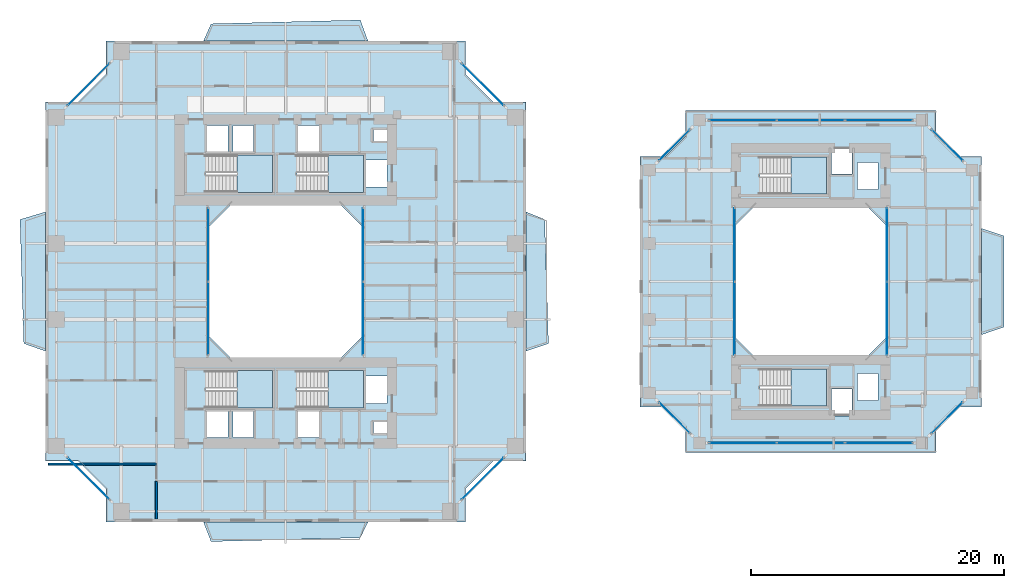
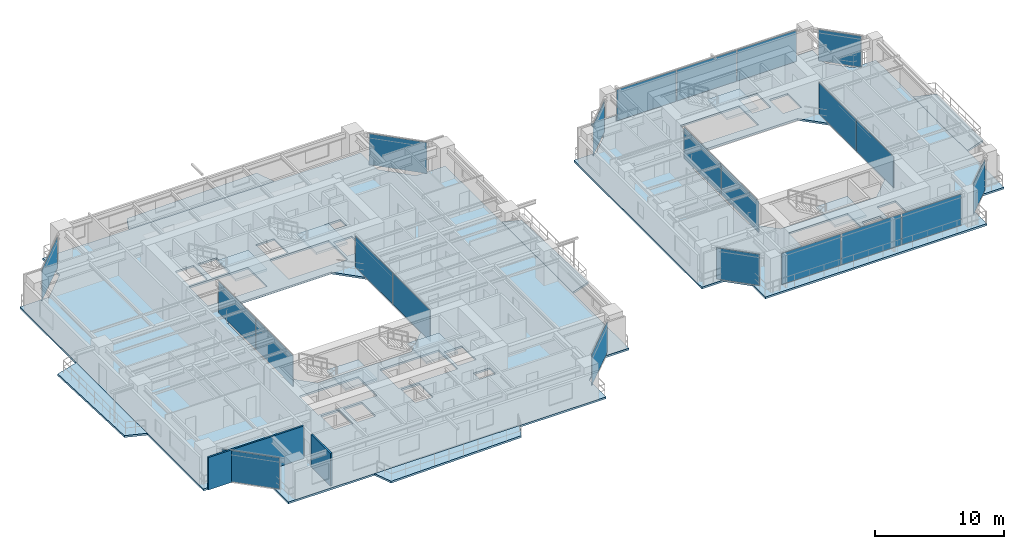
# One storey, part 11 of 23: 22 plates, 13 slabs, 2 walls, 20 elements without a shape of their own.
"""IFC4 building model written with IfcOpenShell, lengths in metres."""

from ifc_helpers import new_model, si_unit, direction, frame, frame_2d, origin, origin_2d, place, context, subcontext, project, spatial, polyline, rectangle, outline, extrude, source, transform, mapped, material, layer, layer_set, type_object, element, aggregate, save


model = new_model("IFC4")

# Units and contexts
model_context = context("Model", 3, precision=1e-05, world=origin(), true_north=direction((0.0, 1.0)))
body_context = subcontext(model_context, "Body", "Model", "MODEL_VIEW")
ifc_project = project(units=[si_unit("LENGTHUNIT", "METRE"), si_unit("AREAUNIT", "SQUARE_METRE"), si_unit("VOLUMEUNIT", "CUBIC_METRE"), si_unit("PLANEANGLEUNIT", "RADIAN"), si_unit("MASSUNIT", "GRAM", prefix="KILO"), si_unit("THERMODYNAMICTEMPERATUREUNIT", "KELVIN"), si_unit("POWERUNIT", "WATT")], contexts=[model_context])

# Site, building, storey
site_placement = place(None, origin())
site = spatial("IfcSite", under=ifc_project, at=site_placement, CompositionType="ELEMENT")
building_placement = place(site_placement, origin())
building = spatial("IfcBuilding", under=site, at=building_placement, Name="Qiaomeng Ring Towers", CompositionType="ELEMENT")
storey_placement = place(building_placement, frame((0.0, 0.0, 26.25)))
storey = spatial("IfcBuildingStorey", under=building, at=storey_placement, Name="L06", CompositionType="ELEMENT", Elevation=26.25)

# Slabs
ifc_material_1 = material(Name="Concrete C40", Category="concrete")
ifc_layer_1 = layer(ifc_material_1, 0.179931640625, Name="Concrete C40")
ifc_layer_set_1 = layer_set([ifc_layer_1], Name="Concrete C40")
slab_type_1 = type_object("IfcSlabType", Name="STR-SL-180", PredefinedType="FLOOR", material=ifc_layer_set_1)
slab_1_placement = place(storey_placement, frame((0.0, 0.0, -0.179931640625)))
element("IfcSlab", 1, at=slab_1_placement, inside=storey, type_object=slab_type_1, Name="L06 Tower 1 Annular Floor Slab", PredefinedType="FLOOR", context=body_context, shape_type="SweptSolid", body=[
    extrude(outline(polyline([(4.800048828125, 4.0), (33.199951171875, 4.0), (33.199951171875, 6.60009765625), (35.39990234375, 8.800048828125), (38.0, 8.800048828125), (38.0, 37.199951171875), (35.39990234375, 37.199951171875), (33.199951171875, 39.39990234375), (33.199951171875, 42.0), (4.800048828125, 42.0), (4.800048828125, 39.39990234375), (2.60009765625, 37.199951171875), (0.0, 37.199951171875), (0.0, 8.800048828125), (2.60009765625, 8.800048828125), (4.800048828125, 6.60009765625), (4.800048828125, 4.0)]), holes=[polyline([(12.780029296875, 10.679931640625), (12.780029296875, 12.820068359375), (14.419921875, 12.820068359375), (14.419921875, 10.679931640625), (12.780029296875, 10.679931640625)]), polyline([(14.830078125, 12.820068359375), (16.469970703125, 12.820068359375), (16.469970703125, 10.679931640625), (14.830078125, 10.679931640625), (14.830078125, 12.820068359375)]), polyline([(12.679931640625, 15.949951171875), (17.949951171875, 15.949951171875), (17.949951171875, 13.010009765625), (12.679931640625, 13.010009765625), (12.679931640625, 15.949951171875)]), polyline([(25.199951171875, 27.199951171875), (25.199951171875, 18.800048828125), (23.199951171875, 16.800048828125), (14.800048828125, 16.800048828125), (12.800048828125, 18.800048828125), (12.800048828125, 27.199951171875), (14.800048828125, 29.199951171875), (23.199951171875, 29.199951171875), (25.199951171875, 27.199951171875)]), polyline([(12.679931640625, 32.989990234375), (17.949951171875, 32.989990234375), (17.949951171875, 30.050048828125), (12.679931640625, 30.050048828125), (12.679931640625, 32.989990234375)]), polyline([(12.780029296875, 35.320068359375), (14.419921875, 35.320068359375), (14.419921875, 33.179931640625), (12.780029296875, 33.179931640625), (12.780029296875, 35.320068359375)]), polyline([(14.830078125, 35.320068359375), (16.469970703125, 35.320068359375), (16.469970703125, 33.179931640625), (14.830078125, 33.179931640625), (14.830078125, 35.320068359375)]), polyline([(19.97998046875, 35.320068359375), (21.6201171875, 35.320068359375), (21.6201171875, 33.179931640625), (19.97998046875, 33.179931640625), (19.97998046875, 35.320068359375)]), polyline([(25.919921875, 11.89990234375), (27.360107421875, 11.89990234375), (27.360107421875, 11.0), (25.919921875, 11.0), (25.919921875, 11.89990234375)]), polyline([(19.97998046875, 12.820068359375), (21.6201171875, 12.820068359375), (21.6201171875, 10.679931640625), (19.97998046875, 10.679931640625), (19.97998046875, 12.820068359375)]), polyline([(25.360107421875, 15.52001953125), (27.0, 15.52001953125), (27.0, 13.3798828125), (25.360107421875, 13.3798828125), (25.360107421875, 15.52001953125)]), polyline([(19.8798828125, 15.949951171875), (25.14990234375, 15.949951171875), (25.14990234375, 13.010009765625), (19.8798828125, 13.010009765625), (19.8798828125, 15.949951171875)]), polyline([(19.8798828125, 32.989990234375), (25.14990234375, 32.989990234375), (25.14990234375, 30.050048828125), (19.8798828125, 30.050048828125), (19.8798828125, 32.989990234375)]), polyline([(25.360107421875, 32.6201171875), (27.0, 32.6201171875), (27.0, 30.47998046875), (25.360107421875, 30.47998046875), (25.360107421875, 32.6201171875)]), polyline([(25.919921875, 35.0), (27.360107421875, 35.0), (27.360107421875, 34.10009765625), (25.919921875, 34.10009765625), (25.919921875, 35.0)])]), origin(), (0.0, 0.0, 1.0), 0.179931640625),
])
slab_2_placement = place(storey_placement, frame((0.0, 0.0, -0.179931640625)))
element("IfcSlab", 2, at=slab_2_placement, inside=storey, type_object=slab_type_1, Name="L06 Companion Tower 2 Annular Floor Slab", PredefinedType="FLOOR", context=body_context, shape_type="SweptSolid", body=[
    extrude(outline(polyline([(50.60009765625, 9.5), (70.39990234375, 9.5), (70.39990234375, 11.5), (72.0, 13.10009765625), (74.0, 13.10009765625), (74.0, 32.89990234375), (72.0, 32.89990234375), (70.39990234375, 34.5), (70.39990234375, 36.5), (50.60009765625, 36.5), (50.60009765625, 34.5), (49.0, 32.89990234375), (47.0, 32.89990234375), (47.0, 13.10009765625), (49.0, 13.10009765625), (50.60009765625, 11.5), (50.60009765625, 9.5)]), holes=[polyline([(62.1298828125, 12.3798828125), (62.1298828125, 14.52001953125), (63.77001953125, 14.52001953125), (63.77001953125, 12.3798828125), (62.1298828125, 12.3798828125)]), polyline([(56.47998046875, 13.159912109375), (56.47998046875, 16.10009765625), (61.75, 16.10009765625), (61.75, 13.159912109375), (56.47998046875, 13.159912109375)]), polyline([(64.179931640625, 13.580078125), (64.179931640625, 15.719970703125), (65.820068359375, 15.719970703125), (65.820068359375, 13.580078125), (64.179931640625, 13.580078125)]), polyline([(64.800048828125, 29.10009765625), (66.60009765625, 27.300048828125), (66.60009765625, 18.699951171875), (64.800048828125, 16.89990234375), (56.199951171875, 16.89990234375), (54.39990234375, 18.699951171875), (54.39990234375, 27.300048828125), (56.199951171875, 29.10009765625), (64.800048828125, 29.10009765625)]), polyline([(64.179931640625, 30.280029296875), (64.179931640625, 32.419921875), (65.820068359375, 32.419921875), (65.820068359375, 30.280029296875), (64.179931640625, 30.280029296875)]), polyline([(56.47998046875, 32.840087890625), (61.75, 32.840087890625), (61.75, 29.89990234375), (56.47998046875, 29.89990234375), (56.47998046875, 32.840087890625)]), polyline([(62.1298828125, 33.6201171875), (63.77001953125, 33.6201171875), (63.77001953125, 31.47998046875), (62.1298828125, 31.47998046875), (62.1298828125, 33.6201171875)])]), origin(), (0.0, 0.0, 1.0), 0.179931640625),
])
ifc_layer_2 = layer(ifc_material_1, 0.179931640625, Name="Concrete C40")
ifc_layer_set_2 = layer_set([ifc_layer_2], Name="Concrete C40")
slab_type_2 = type_object("IfcSlabType", Name="STR-SL-BAL", PredefinedType="FLOOR", material=ifc_layer_set_2)
slab_3_placement = place(storey_placement, frame((0.0, 0.0, -0.179931640625)))
element("IfcSlab", 3, at=slab_3_placement, inside=storey, type_object=slab_type_2, Name="L06 Tower 1 S Faceted Balcony Slab", PredefinedType="FLOOR", context=body_context, shape_type="SweptSolid", body=[
    extrude(outline(polyline([(24.89990234375, 2.75), (13.10009765625, 2.449951171875), (12.5, 4.0), (25.5, 4.0), (24.89990234375, 2.75)])), origin(), (0.0, 0.0, 1.0), 0.179931640625),
])
slab_4_placement = place(storey_placement, frame((0.0, 0.0, -0.179931640625)))
element("IfcSlab", 4, at=slab_4_placement, inside=storey, type_object=slab_type_2, Name="L06 Tower 1 E Faceted Balcony Slab", PredefinedType="FLOOR", context=body_context, shape_type="SweptSolid", body=[
    extrude(outline(polyline([(39.469970703125, 27.89990234375), (39.77001953125, 18.10009765625), (38.0, 17.5), (38.0, 28.5), (39.469970703125, 27.89990234375)])), origin(), (0.0, 0.0, 1.0), 0.179931640625),
])
slab_5_placement = place(storey_placement, frame((0.0, 0.0, -0.179931640625)))
element("IfcSlab", 5, at=slab_5_placement, inside=storey, type_object=slab_type_2, Name="L06 Tower 1 N Faceted Balcony Slab", PredefinedType="FLOOR", context=body_context, shape_type="SweptSolid", body=[
    extrude(outline(polyline([(12.5, 42.0), (13.10009765625, 43.3701171875), (24.89990234375, 43.669921875), (25.5, 42.0), (12.5, 42.0)])), origin(), (0.0, 0.0, 1.0), 0.179931640625),
])
slab_6_placement = place(storey_placement, frame((0.0, 0.0, -0.179931640625)))
element("IfcSlab", 6, at=slab_6_placement, inside=storey, type_object=slab_type_2, Name="L06 Tower 1 W Faceted Balcony Slab", PredefinedType="FLOOR", context=body_context, shape_type="SweptSolid", body=[
    extrude(outline(polyline([(0.0, 17.5), (-1.699951171875, 18.10009765625), (-2.0, 27.89990234375), (0.0, 28.5), (0.0, 17.5)])), origin(), (0.0, 0.0, 1.0), 0.179931640625),
])
slab_7_placement = place(storey_placement, frame((0.0, 0.0, -0.179931640625)))
element("IfcSlab", 7, at=slab_7_placement, inside=storey, type_object=slab_type_2, Name="L06 Companion East Faceted Balcony Slab", PredefinedType="FLOOR", context=body_context, shape_type="SweptSolid", body=[
    extrude(outline(polyline([(75.77001953125, 26.60009765625), (75.77001953125, 19.39990234375), (74.0, 18.800048828125), (74.0, 27.199951171875), (75.77001953125, 26.60009765625)])), origin(), (0.0, 0.0, 1.0), 0.179931640625),
])

# Stair, slab
ifc_material_2 = material(Name="Precast concrete C40", Category="concrete")
stair_type = type_object("IfcStairType", Name="ARC-ST-325", PredefinedType="HALF_TURN_STAIR", material=ifc_material_2)
stair_1_placement = place(storey_placement, origin())
stair_1 = element("IfcStair", 8, at=stair_1_placement, inside=storey, type_object=stair_type, Name="L06 Tower 1 North Stair 1", PredefinedType="HALF_TURN_STAIR")
ifc_layer_3 = layer(ifc_material_1, 0.199951171875, Name="Concrete C40")
ifc_layer_set_3 = layer_set([ifc_layer_3], Name="Concrete C40")
slab_type_3 = type_object("IfcSlabType", Name="STR-SL-LANDING", PredefinedType="LANDING", material=ifc_layer_set_3)
slab_8_placement = place(storey_placement, frame((0.0, 0.0, 1.425048828125)))
slab_8 = element("IfcSlab", 9, at=slab_8_placement, type_object=slab_type_3, Name="ST1 landing 1", PredefinedType="LANDING", context=body_context, shape_type="SweptSolid", body=[
    extrude(outline(polyline([(15.139892578125, 30.050048828125), (17.949951171875, 30.050048828125), (17.949951171875, 32.989990234375), (15.139892578125, 32.989990234375), (15.139892578125, 30.050048828125)])), origin(), (0.0, 0.0, 1.0), 0.199951171875),
])
aggregate(stair_1, [slab_8])

stair_2_placement = place(storey_placement, origin())
stair_2 = element("IfcStair", 10, at=stair_2_placement, inside=storey, type_object=stair_type, Name="L06 Tower 1 North Stair 2", PredefinedType="HALF_TURN_STAIR")
slab_9_placement = place(storey_placement, frame((0.0, 0.0, 1.425048828125)))
slab_9 = element("IfcSlab", 11, at=slab_9_placement, type_object=slab_type_3, Name="ST2 landing 1", PredefinedType="LANDING", context=body_context, shape_type="SweptSolid", body=[
    extrude(outline(polyline([(22.340087890625, 30.050048828125), (25.14990234375, 30.050048828125), (25.14990234375, 32.989990234375), (22.340087890625, 32.989990234375), (22.340087890625, 30.050048828125)])), origin(), (0.0, 0.0, 1.0), 0.199951171875),
])
aggregate(stair_2, [slab_9])

stair_3_placement = place(storey_placement, origin())
stair_3 = element("IfcStair", 12, at=stair_3_placement, inside=storey, type_object=stair_type, Name="L06 Tower 1 South Stair 3", PredefinedType="HALF_TURN_STAIR")
slab_10_placement = place(storey_placement, frame((0.0, 0.0, 1.425048828125)))
slab_10 = element("IfcSlab", 13, at=slab_10_placement, type_object=slab_type_3, Name="ST3 landing 1", PredefinedType="LANDING", context=body_context, shape_type="SweptSolid", body=[
    extrude(outline(polyline([(15.139892578125, 13.010009765625), (17.949951171875, 13.010009765625), (17.949951171875, 15.949951171875), (15.139892578125, 15.949951171875), (15.139892578125, 13.010009765625)])), origin(), (0.0, 0.0, 1.0), 0.199951171875),
])
aggregate(stair_3, [slab_10])

stair_4_placement = place(storey_placement, origin())
stair_4 = element("IfcStair", 14, at=stair_4_placement, inside=storey, type_object=stair_type, Name="L06 Tower 1 South Stair 4", PredefinedType="HALF_TURN_STAIR")
slab_11_placement = place(storey_placement, frame((0.0, 0.0, 1.425048828125)))
slab_11 = element("IfcSlab", 15, at=slab_11_placement, type_object=slab_type_3, Name="ST4 landing 1", PredefinedType="LANDING", context=body_context, shape_type="SweptSolid", body=[
    extrude(outline(polyline([(22.340087890625, 13.010009765625), (25.14990234375, 13.010009765625), (25.14990234375, 15.949951171875), (22.340087890625, 15.949951171875), (22.340087890625, 13.010009765625)])), origin(), (0.0, 0.0, 1.0), 0.199951171875),
])
aggregate(stair_4, [slab_11])

stair_5_placement = place(storey_placement, origin())
stair_5 = element("IfcStair", 16, at=stair_5_placement, inside=storey, type_object=stair_type, Name="L06 Companion North Stair 5", PredefinedType="HALF_TURN_STAIR")
slab_12_placement = place(storey_placement, frame((0.0, 0.0, 1.425048828125)))
slab_12 = element("IfcSlab", 17, at=slab_12_placement, type_object=slab_type_3, Name="ST5 landing 1", PredefinedType="LANDING", context=body_context, shape_type="SweptSolid", body=[
    extrude(outline(polyline([(58.93994140625, 29.89990234375), (61.75, 29.89990234375), (61.75, 32.840087890625), (58.93994140625, 32.840087890625), (58.93994140625, 29.89990234375)])), origin(), (0.0, 0.0, 1.0), 0.199951171875),
])
aggregate(stair_5, [slab_12])

stair_6_placement = place(storey_placement, origin())
stair_6 = element("IfcStair", 18, at=stair_6_placement, inside=storey, type_object=stair_type, Name="L06 Companion South Stair 6", PredefinedType="HALF_TURN_STAIR")
slab_13_placement = place(storey_placement, frame((0.0, 0.0, 1.425048828125)))
slab_13 = element("IfcSlab", 19, at=slab_13_placement, type_object=slab_type_3, Name="ST6 landing 1", PredefinedType="LANDING", context=body_context, shape_type="SweptSolid", body=[
    extrude(outline(polyline([(58.93994140625, 13.159912109375), (61.75, 13.159912109375), (61.75, 16.10009765625), (58.93994140625, 16.10009765625), (58.93994140625, 13.159912109375)])), origin(), (0.0, 0.0, 1.0), 0.199951171875),
])
aggregate(stair_6, [slab_13])

# Curtain wall, plates
ifc_material_3 = material(Name="Fluorocarbon dark-grey aluminium", Category="aluminium")
ifc_layer_4 = layer(ifc_material_3, 0.139892578125, Name="Fluorocarbon dark-grey aluminium")
ifc_layer_set_4 = layer_set([ifc_layer_4], Name="Fluorocarbon dark-grey aluminium")
curtain_wall_type_1 = type_object("IfcCurtainWallType", Name="ARC-CW-4", PredefinedType="NOTDEFINED", material=ifc_layer_set_4)
curtain_wall_1_placement = place(storey_placement, origin())
curtain_wall_1 = element("IfcCurtainWall", 20, at=curtain_wall_1_placement, inside=storey, type_object=curtain_wall_type_1, Name="L06 Curtain Wall CW4", PredefinedType="NOTDEFINED")
ifc_material_4 = material(Name="Low-E dark-grey laminated double glazing", Category="glass")
ifc_layer_5 = layer(ifc_material_4, 0.028076171875, Name="Low-E dark-grey laminated double glazing")
ifc_layer_set_5 = layer_set([ifc_layer_5], Name="Low-E dark-grey laminated double glazing")
plate_type = type_object("IfcPlateType", Name="ARC-CWP-DARK", PredefinedType="CURTAIN_PANEL", material=ifc_layer_set_5)
shared_shape_1 = source(origin(), body_context, "Body", "SweptSolid", [
    extrude(rectangle(XDim=5.75244140625, YDim=0.028076171875, at=origin_2d()), origin(), (0.0, 0.0, 1.0), 2.93994140625),
])
plate_1_placement = place(storey_placement, frame((12.8798828125, 20.09130859375, 0.06494140625), z_axis=(0.0, 0.0, 1.0), x_axis=(0.0, 1.0, 0.0)))
plate_1 = element("IfcPlate", 21, at=plate_1_placement, type_object=plate_type, Name="CW4 panel 1.1", PredefinedType="CURTAIN_PANEL", context=body_context, shape_type="MappedRepresentation", body=[
    mapped(shared_shape_1, transform((0.0, 0.0, 0.0), x_axis=(1.0, 0.0, 0.0), y_axis=(0.0, 1.0, 0.0), z_axis=(0.0, 0.0, 1.0), scale=1.0)),
])
plate_2_placement = place(storey_placement, frame((12.8798828125, 25.90869140625, 0.06494140625), z_axis=(0.0, 0.0, 1.0), x_axis=(0.0, 1.0, 0.0)))
plate_2 = element("IfcPlate", 22, at=plate_2_placement, type_object=plate_type, Name="CW4 panel 2.1", PredefinedType="CURTAIN_PANEL", context=body_context, shape_type="MappedRepresentation", body=[
    mapped(shared_shape_1, transform((0.0, 0.0, 0.0), x_axis=(1.0, 0.0, 0.0), y_axis=(0.0, 1.0, 0.0), z_axis=(0.0, 0.0, 1.0), scale=1.0)),
])
aggregate(curtain_wall_1, [plate_1, plate_2])

curtain_wall_2_placement = place(storey_placement, origin())
curtain_wall_2 = element("IfcCurtainWall", 23, at=curtain_wall_2_placement, inside=storey, type_object=curtain_wall_type_1, Name="L06 Curtain Wall CW4", PredefinedType="NOTDEFINED")
plate_3_placement = place(storey_placement, frame((25.1201171875, 20.09130859375, 0.06494140625), z_axis=(0.0, 0.0, 1.0), x_axis=(0.0, 1.0, 0.0)))
plate_3 = element("IfcPlate", 24, at=plate_3_placement, type_object=plate_type, Name="CW4 panel 1.1", PredefinedType="CURTAIN_PANEL", context=body_context, shape_type="MappedRepresentation", body=[
    mapped(shared_shape_1, transform((0.0, 0.0, 0.0), x_axis=(1.0, 0.0, 0.0), y_axis=(0.0, 1.0, 0.0), z_axis=(0.0, 0.0, 1.0), scale=1.0)),
])
plate_4_placement = place(storey_placement, frame((25.1201171875, 25.90869140625, 0.06494140625), z_axis=(0.0, 0.0, 1.0), x_axis=(0.0, 1.0, 0.0)))
plate_4 = element("IfcPlate", 25, at=plate_4_placement, type_object=plate_type, Name="CW4 panel 2.1", PredefinedType="CURTAIN_PANEL", context=body_context, shape_type="MappedRepresentation", body=[
    mapped(shared_shape_1, transform((0.0, 0.0, 0.0), x_axis=(1.0, 0.0, 0.0), y_axis=(0.0, 1.0, 0.0), z_axis=(0.0, 0.0, 1.0), scale=1.0)),
])
aggregate(curtain_wall_2, [plate_3, plate_4])

curtain_wall_3_placement = place(storey_placement, origin())
curtain_wall_3 = element("IfcCurtainWall", 26, at=curtain_wall_3_placement, inside=storey, type_object=curtain_wall_type_1, Name="L06 Curtain Wall CW4", PredefinedType="NOTDEFINED")
plate_5_placement = place(storey_placement, frame((54.47998046875, 20.09130859375, 0.06494140625), z_axis=(0.0, 0.0, 1.0), x_axis=(0.0, 1.0, 0.0)))
plate_5 = element("IfcPlate", 27, at=plate_5_placement, type_object=plate_type, Name="CW4 panel 1.1", PredefinedType="CURTAIN_PANEL", context=body_context, shape_type="MappedRepresentation", body=[
    mapped(shared_shape_1, transform((0.0, 0.0, 0.0), x_axis=(1.0, 0.0, 0.0), y_axis=(0.0, 1.0, 0.0), z_axis=(0.0, 0.0, 1.0), scale=1.0)),
])
plate_6_placement = place(storey_placement, frame((54.47998046875, 25.90869140625, 0.06494140625), z_axis=(0.0, 0.0, 1.0), x_axis=(0.0, 1.0, 0.0)))
plate_6 = element("IfcPlate", 28, at=plate_6_placement, type_object=plate_type, Name="CW4 panel 2.1", PredefinedType="CURTAIN_PANEL", context=body_context, shape_type="MappedRepresentation", body=[
    mapped(shared_shape_1, transform((0.0, 0.0, 0.0), x_axis=(1.0, 0.0, 0.0), y_axis=(0.0, 1.0, 0.0), z_axis=(0.0, 0.0, 1.0), scale=1.0)),
])
aggregate(curtain_wall_3, [plate_5, plate_6])

curtain_wall_4_placement = place(storey_placement, origin())
curtain_wall_4 = element("IfcCurtainWall", 29, at=curtain_wall_4_placement, inside=storey, type_object=curtain_wall_type_1, Name="L06 Curtain Wall CW4", PredefinedType="NOTDEFINED")
plate_7_placement = place(storey_placement, frame((66.52001953125, 20.09130859375, 0.06494140625), z_axis=(0.0, 0.0, 1.0), x_axis=(0.0, 1.0, 0.0)))
plate_7 = element("IfcPlate", 30, at=plate_7_placement, type_object=plate_type, Name="CW4 panel 1.1", PredefinedType="CURTAIN_PANEL", context=body_context, shape_type="MappedRepresentation", body=[
    mapped(shared_shape_1, transform((0.0, 0.0, 0.0), x_axis=(1.0, 0.0, 0.0), y_axis=(0.0, 1.0, 0.0), z_axis=(0.0, 0.0, 1.0), scale=1.0)),
])
plate_8_placement = place(storey_placement, frame((66.52001953125, 25.90869140625, 0.06494140625), z_axis=(0.0, 0.0, 1.0), x_axis=(0.0, 1.0, 0.0)))
plate_8 = element("IfcPlate", 31, at=plate_8_placement, type_object=plate_type, Name="CW4 panel 2.1", PredefinedType="CURTAIN_PANEL", context=body_context, shape_type="MappedRepresentation", body=[
    mapped(shared_shape_1, transform((0.0, 0.0, 0.0), x_axis=(1.0, 0.0, 0.0), y_axis=(0.0, 1.0, 0.0), z_axis=(0.0, 0.0, 1.0), scale=1.0)),
])
aggregate(curtain_wall_4, [plate_7, plate_8])

# Curtain wall, plate
ifc_layer_6 = layer(ifc_material_3, 0.159912109375, Name="Fluorocarbon dark-grey aluminium")
ifc_layer_set_6 = layer_set([ifc_layer_6], Name="Fluorocarbon dark-grey aluminium")
curtain_wall_type_2 = type_object("IfcCurtainWallType", Name="ARC-CW-2", PredefinedType="NOTDEFINED", material=ifc_layer_set_6)
curtain_wall_5_placement = place(storey_placement, origin())
curtain_wall_5 = element("IfcCurtainWall", 32, at=curtain_wall_5_placement, inside=storey, type_object=curtain_wall_type_2, Name="L06 Curtain Wall CW2", PredefinedType="NOTDEFINED")
shared_shape_2 = source(origin(), body_context, "Body", "SweptSolid", [
    extrude(rectangle(XDim=4.6259765625, YDim=0.028076171875, at=origin_2d()), origin(), (0.0, 0.0, 1.0), 2.93994140625),
])
plate_9_placement = place(storey_placement, frame((34.574951171875, 7.425048828125, 0.06494140625), z_axis=(0.0, 0.0, 1.0), x_axis=(0.707106781187, 0.707106781187, 0.0)))
plate_9 = element("IfcPlate", 33, at=plate_9_placement, type_object=plate_type, Name="CW2 panel 1.1", PredefinedType="CURTAIN_PANEL", context=body_context, shape_type="MappedRepresentation", body=[
    mapped(shared_shape_2, transform((0.0, 0.0, 0.0), x_axis=(1.0, 0.0, 0.0), y_axis=(0.0, 1.0, 0.0), z_axis=(0.0, 0.0, 1.0), scale=1.0)),
])
aggregate(curtain_wall_5, [plate_9])

curtain_wall_6_placement = place(storey_placement, origin())
curtain_wall_6 = element("IfcCurtainWall", 34, at=curtain_wall_6_placement, inside=storey, type_object=curtain_wall_type_2, Name="L06 Curtain Wall CW2", PredefinedType="NOTDEFINED")
plate_10_placement = place(storey_placement, frame((34.574951171875, 38.574951171875, 0.06494140625), z_axis=(0.0, 0.0, 1.0), x_axis=(-0.707106781187, 0.707106781187, 0.0)))
plate_10 = element("IfcPlate", 35, at=plate_10_placement, type_object=plate_type, Name="CW2 panel 1.1", PredefinedType="CURTAIN_PANEL", context=body_context, shape_type="MappedRepresentation", body=[
    mapped(shared_shape_2, transform((0.0, 0.0, 0.0), x_axis=(1.0, 0.0, 0.0), y_axis=(0.0, 1.0, 0.0), z_axis=(0.0, 0.0, 1.0), scale=1.0)),
])
aggregate(curtain_wall_6, [plate_10])

curtain_wall_7_placement = place(storey_placement, origin())
curtain_wall_7 = element("IfcCurtainWall", 36, at=curtain_wall_7_placement, inside=storey, type_object=curtain_wall_type_2, Name="L06 Curtain Wall CW2", PredefinedType="NOTDEFINED")
plate_11_placement = place(storey_placement, frame((3.425048828125, 38.574951171875, 0.06494140625), z_axis=(0.0, 0.0, 1.0), x_axis=(-0.707106781187, -0.707106781187, 0.0)))
plate_11 = element("IfcPlate", 37, at=plate_11_placement, type_object=plate_type, Name="CW2 panel 1.1", PredefinedType="CURTAIN_PANEL", context=body_context, shape_type="MappedRepresentation", body=[
    mapped(shared_shape_2, transform((0.0, 0.0, 0.0), x_axis=(1.0, 0.0, 0.0), y_axis=(0.0, 1.0, 0.0), z_axis=(0.0, 0.0, 1.0), scale=1.0)),
])
aggregate(curtain_wall_7, [plate_11])

curtain_wall_8_placement = place(storey_placement, origin())
curtain_wall_8 = element("IfcCurtainWall", 38, at=curtain_wall_8_placement, inside=storey, type_object=curtain_wall_type_2, Name="L06 Curtain Wall CW2", PredefinedType="NOTDEFINED")
plate_12_placement = place(storey_placement, frame((3.425048828125, 7.425048828125, 0.06494140625), z_axis=(0.0, 0.0, 1.0), x_axis=(0.707106781187, -0.707106781187, 0.0)))
plate_12 = element("IfcPlate", 39, at=plate_12_placement, type_object=plate_type, Name="CW2 panel 1.1", PredefinedType="CURTAIN_PANEL", context=body_context, shape_type="MappedRepresentation", body=[
    mapped(shared_shape_2, transform((0.0, 0.0, 0.0), x_axis=(1.0, 0.0, 0.0), y_axis=(0.0, 1.0, 0.0), z_axis=(0.0, 0.0, 1.0), scale=1.0)),
])
aggregate(curtain_wall_8, [plate_12])

# Curtain wall, plates
ifc_layer_7 = layer(ifc_material_3, 0.14990234375, Name="Fluorocarbon dark-grey aluminium")
ifc_layer_set_7 = layer_set([ifc_layer_7], Name="Fluorocarbon dark-grey aluminium")
curtain_wall_type_3 = type_object("IfcCurtainWallType", Name="ARC-CW-5", PredefinedType="NOTDEFINED", material=ifc_layer_set_7)
curtain_wall_9_placement = place(storey_placement, origin())
curtain_wall_9 = element("IfcCurtainWall", 40, at=curtain_wall_9_placement, inside=storey, type_object=curtain_wall_type_3, Name="L06 Curtain Wall CW5", PredefinedType="NOTDEFINED")
shared_shape_3 = source(origin(), body_context, "Body", "SweptSolid", [
    extrude(rectangle(XDim=5.284912109375, YDim=0.028076171875, at=origin_2d()), origin(), (0.0, 0.0, 1.0), 2.93994140625),
])
plate_13_placement = place(storey_placement, frame((55.12744140625, 35.75, 0.06494140625), z_axis=(0.0, 0.0, 1.0), x_axis=(1.0, 0.0, 0.0)))
plate_13 = element("IfcPlate", 41, at=plate_13_placement, type_object=plate_type, Name="CW5 panel 1.1", PredefinedType="CURTAIN_PANEL", context=body_context, shape_type="MappedRepresentation", body=[
    mapped(shared_shape_3, transform((0.0, 0.0, 0.0), x_axis=(1.0, 0.0, 0.0), y_axis=(0.0, 1.0, 0.0), z_axis=(0.0, 0.0, 1.0), scale=1.0)),
])
plate_14_placement = place(storey_placement, frame((65.87255859375, 35.75, 0.06494140625), z_axis=(0.0, 0.0, 1.0), x_axis=(1.0, 0.0, 0.0)))
plate_14 = element("IfcPlate", 42, at=plate_14_placement, type_object=plate_type, Name="CW5 panel 3.1", PredefinedType="CURTAIN_PANEL", context=body_context, shape_type="MappedRepresentation", body=[
    mapped(shared_shape_3, transform((0.0, 0.0, 0.0), x_axis=(1.0, 0.0, 0.0), y_axis=(0.0, 1.0, 0.0), z_axis=(0.0, 0.0, 1.0), scale=1.0)),
])

curtain_wall_10_placement = place(storey_placement, origin())
curtain_wall_10 = element("IfcCurtainWall", 43, at=curtain_wall_10_placement, inside=storey, type_object=curtain_wall_type_3, Name="L06 Curtain Wall CW5", PredefinedType="NOTDEFINED")
plate_15_placement = place(storey_placement, frame((55.12744140625, 10.25, 0.06494140625), z_axis=(0.0, 0.0, 1.0), x_axis=(1.0, 0.0, 0.0)))
plate_15 = element("IfcPlate", 44, at=plate_15_placement, type_object=plate_type, Name="CW5 panel 1.1", PredefinedType="CURTAIN_PANEL", context=body_context, shape_type="MappedRepresentation", body=[
    mapped(shared_shape_3, transform((0.0, 0.0, 0.0), x_axis=(1.0, 0.0, 0.0), y_axis=(0.0, 1.0, 0.0), z_axis=(0.0, 0.0, 1.0), scale=1.0)),
])
plate_16_placement = place(storey_placement, frame((65.87255859375, 10.25, 0.06494140625), z_axis=(0.0, 0.0, 1.0), x_axis=(1.0, 0.0, 0.0)))
plate_16 = element("IfcPlate", 45, at=plate_16_placement, type_object=plate_type, Name="CW5 panel 3.1", PredefinedType="CURTAIN_PANEL", context=body_context, shape_type="MappedRepresentation", body=[
    mapped(shared_shape_3, transform((0.0, 0.0, 0.0), x_axis=(1.0, 0.0, 0.0), y_axis=(0.0, 1.0, 0.0), z_axis=(0.0, 0.0, 1.0), scale=1.0)),
])

# Plate
shared_shape_4 = source(origin(), body_context, "Body", "SweptSolid", [
    extrude(rectangle(XDim=5.320068359375, YDim=0.028076171875, at=origin_2d()), origin(), (0.0, 0.0, 1.0), 2.93994140625),
])
plate_17_placement = place(storey_placement, frame((60.5, 35.75, 0.06494140625), z_axis=(0.0, 0.0, 1.0), x_axis=(1.0, 0.0, 0.0)))
plate_17 = element("IfcPlate", 46, at=plate_17_placement, type_object=plate_type, Name="CW5 panel 2.1", PredefinedType="CURTAIN_PANEL", context=body_context, shape_type="MappedRepresentation", body=[
    mapped(shared_shape_4, transform((0.0, 0.0, 0.0), x_axis=(1.0, 0.0, 0.0), y_axis=(0.0, 1.0, 0.0), z_axis=(0.0, 0.0, 1.0), scale=1.0)),
])

aggregate(curtain_wall_9, [plate_13, plate_17, plate_14])

plate_18_placement = place(storey_placement, frame((60.5, 10.25, 0.06494140625), z_axis=(0.0, 0.0, 1.0), x_axis=(1.0, 0.0, 0.0)))
plate_18 = element("IfcPlate", 47, at=plate_18_placement, type_object=plate_type, Name="CW5 panel 2.1", PredefinedType="CURTAIN_PANEL", context=body_context, shape_type="MappedRepresentation", body=[
    mapped(shared_shape_4, transform((0.0, 0.0, 0.0), x_axis=(1.0, 0.0, 0.0), y_axis=(0.0, 1.0, 0.0), z_axis=(0.0, 0.0, 1.0), scale=1.0)),
])

aggregate(curtain_wall_10, [plate_15, plate_18, plate_16])

# Curtain wall, plate
curtain_wall_11_placement = place(storey_placement, origin())
curtain_wall_11 = element("IfcCurtainWall", 48, at=curtain_wall_11_placement, inside=storey, type_object=curtain_wall_type_3, Name="L06 Curtain Wall CW5", PredefinedType="NOTDEFINED")
shared_shape_5 = source(origin(), body_context, "Body", "SweptSolid", [
    extrude(rectangle(XDim=3.423828125, YDim=0.028076171875, at=origin_2d()), origin(), (0.0, 0.0, 1.0), 2.93994140625),
])
plate_19_placement = place(storey_placement, frame((71.27490234375, 12.22509765625, 0.06494140625), z_axis=(0.0, 0.0, 1.0), x_axis=(0.707106781187, 0.707106781187, 0.0)))
plate_19 = element("IfcPlate", 49, at=plate_19_placement, type_object=plate_type, Name="CW5 panel 1.1", PredefinedType="CURTAIN_PANEL", context=body_context, shape_type="MappedRepresentation", body=[
    mapped(shared_shape_5, transform((0.0, 0.0, 0.0), x_axis=(1.0, 0.0, 0.0), y_axis=(0.0, 1.0, 0.0), z_axis=(0.0, 0.0, 1.0), scale=1.0)),
])
aggregate(curtain_wall_11, [plate_19])

curtain_wall_12_placement = place(storey_placement, origin())
curtain_wall_12 = element("IfcCurtainWall", 50, at=curtain_wall_12_placement, inside=storey, type_object=curtain_wall_type_3, Name="L06 Curtain Wall CW5", PredefinedType="NOTDEFINED")
plate_20_placement = place(storey_placement, frame((71.27490234375, 33.77490234375, 0.06494140625), z_axis=(0.0, 0.0, 1.0), x_axis=(-0.707106781187, 0.707106781187, 0.0)))
plate_20 = element("IfcPlate", 51, at=plate_20_placement, type_object=plate_type, Name="CW5 panel 1.1", PredefinedType="CURTAIN_PANEL", context=body_context, shape_type="MappedRepresentation", body=[
    mapped(shared_shape_5, transform((0.0, 0.0, 0.0), x_axis=(1.0, 0.0, 0.0), y_axis=(0.0, 1.0, 0.0), z_axis=(0.0, 0.0, 1.0), scale=1.0)),
])
aggregate(curtain_wall_12, [plate_20])

curtain_wall_13_placement = place(storey_placement, origin())
curtain_wall_13 = element("IfcCurtainWall", 52, at=curtain_wall_13_placement, inside=storey, type_object=curtain_wall_type_3, Name="L06 Curtain Wall CW5", PredefinedType="NOTDEFINED")
plate_21_placement = place(storey_placement, frame((49.72509765625, 33.77490234375, 0.06494140625), z_axis=(0.0, 0.0, 1.0), x_axis=(-0.707106781187, -0.707106781187, 0.0)))
plate_21 = element("IfcPlate", 53, at=plate_21_placement, type_object=plate_type, Name="CW5 panel 1.1", PredefinedType="CURTAIN_PANEL", context=body_context, shape_type="MappedRepresentation", body=[
    mapped(shared_shape_5, transform((0.0, 0.0, 0.0), x_axis=(1.0, 0.0, 0.0), y_axis=(0.0, 1.0, 0.0), z_axis=(0.0, 0.0, 1.0), scale=1.0)),
])
aggregate(curtain_wall_13, [plate_21])

curtain_wall_14_placement = place(storey_placement, origin())
curtain_wall_14 = element("IfcCurtainWall", 54, at=curtain_wall_14_placement, inside=storey, type_object=curtain_wall_type_3, Name="L06 Curtain Wall CW5", PredefinedType="NOTDEFINED")
plate_22_placement = place(storey_placement, frame((49.72509765625, 12.22509765625, 0.06494140625), z_axis=(0.0, 0.0, 1.0), x_axis=(0.707106781187, -0.707106781187, 0.0)))
plate_22 = element("IfcPlate", 55, at=plate_22_placement, type_object=plate_type, Name="CW5 panel 1.1", PredefinedType="CURTAIN_PANEL", context=body_context, shape_type="MappedRepresentation", body=[
    mapped(shared_shape_5, transform((0.0, 0.0, 0.0), x_axis=(1.0, 0.0, 0.0), y_axis=(0.0, 1.0, 0.0), z_axis=(0.0, 0.0, 1.0), scale=1.0)),
])
aggregate(curtain_wall_14, [plate_22])

# Walls
ifc_material_5 = material(Name="Gypsum fireboard steel-stud partition", Category="steel")
ifc_layer_8 = layer(ifc_material_5, 0.14990234375, Name="Gypsum fireboard steel-stud partition")
ifc_layer_set_8 = layer_set([ifc_layer_8], Name="Gypsum fireboard steel-stud partition")
wall_type = type_object("IfcWallType", Name="ARC-WL-PW3", PredefinedType="PARTITIONING", material=ifc_layer_set_8)
wall_1_placement = place(storey_placement, frame((8.780029296875, 4.25, 0.0), z_axis=(0.0, 0.0, 1.0), x_axis=(0.0, 1.0, 0.0)))
element("IfcWall", 56, at=wall_1_placement, inside=storey, type_object=wall_type, Name="L06 Interior Wall PW3", PredefinedType="PARTITIONING", context=body_context, shape_type="SweptSolid", body=[
    extrude(rectangle(XDim=2.9599609375, YDim=0.14990234375, at=frame_2d((1.47998046875, 0.0))), origin(), (0.0, 0.0, 1.0), 3.070068359375),
])
wall_2_placement = place(storey_placement, frame((0.25, 8.570068359375, 0.0), z_axis=(0.0, 0.0, 1.0), x_axis=(1.0, 0.0, 0.0)))
element("IfcWall", 57, at=wall_2_placement, inside=storey, type_object=wall_type, Name="L06 Interior Wall PW3", PredefinedType="PARTITIONING", context=body_context, shape_type="SweptSolid", body=[
    extrude(rectangle(XDim=8.530029296875, YDim=0.14990234375, at=frame_2d((4.26513671875, 0.0))), origin(), (0.0, 0.0, 1.0), 3.070068359375),
])

save(model, "model.ifc")
